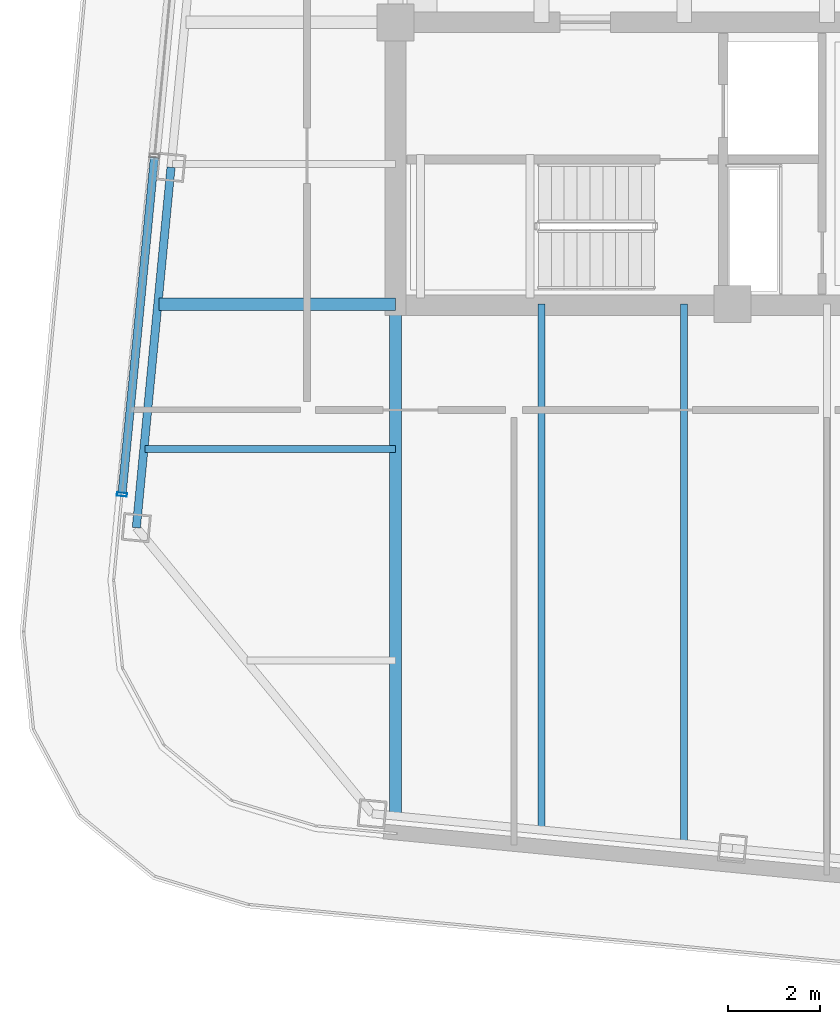
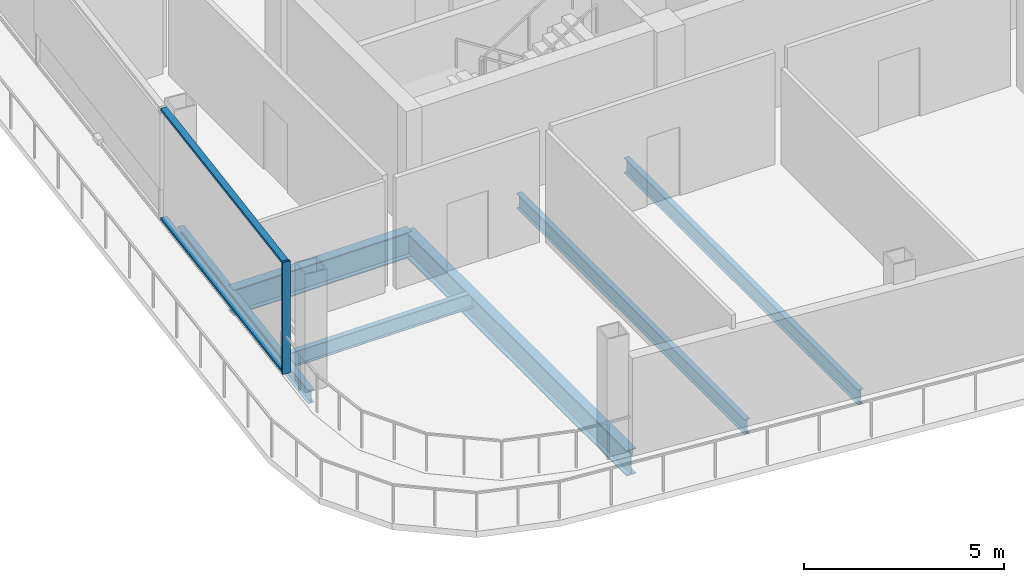
# One storey, part 2 of 23: 6 beams, 3 members, 1 element without a shape of its own.
"""IFC4 building model written with IfcOpenShell, lengths in metres."""

from ifc_helpers import new_model, si_unit, direction, frame, origin, origin_2d, place, context, subcontext, project, spatial, hollow_rectangle, i_section, extrude, material, layer, layer_set, material_profile, profile_set, type_object, element, aggregate, save


model = new_model("IFC4")

# Units and contexts
model_context = context("Model", 3, precision=1e-05, world=origin(), true_north=direction((0.0, 1.0)))
body_context = subcontext(model_context, "Body", "Model", "MODEL_VIEW")
ifc_project = project(units=[si_unit("LENGTHUNIT", "METRE"), si_unit("AREAUNIT", "SQUARE_METRE"), si_unit("VOLUMEUNIT", "CUBIC_METRE"), si_unit("PLANEANGLEUNIT", "RADIAN"), si_unit("MASSUNIT", "GRAM", prefix="KILO")], contexts=[model_context])

# Site, building, storey
site_placement = place(None, origin())
site = spatial("IfcSite", under=ifc_project, at=site_placement, CompositionType="ELEMENT")
building_placement = place(site_placement, origin())
building = spatial("IfcBuilding", under=site, at=building_placement, Name="Qhalaya Broadcast Tower", CompositionType="ELEMENT")
storey_placement = place(building_placement, frame((0.0, 0.0, 276.949951171875)))
storey = spatial("IfcBuildingStorey", under=building, at=storey_placement, Name="L82", CompositionType="ELEMENT", Elevation=276.949951171875)

# Beams
ifc_material_1 = material(Name="Structural Steel ASTM A992 Grade 50", Category="steel")
ifc_material_profile_1 = material_profile(ifc_material_1, i_section(OverallWidth=0.154052734375, OverallDepth=0.458984375, WebThickness=0.009033203125, FlangeThickness=0.015380859375, at=origin_2d()), Name="W18X46")
ifc_profile_set_1 = profile_set([ifc_material_profile_1], Name="Structural Steel ASTM A992 Grade 50")
beam_type_1 = type_object("IfcBeamType", Name="Composite Floor Joist J04", PredefinedType="JOIST", material=ifc_profile_set_1)
beam_1_placement = place(storey_placement, frame((-6.199951171875, -20.1630859375, -0.41943359375), z_axis=(0.0, 1.0, 0.0), x_axis=(-1.0, 0.0, 0.0)))
element("IfcBeam", 1, at=beam_1_placement, inside=storey, type_object=beam_type_1, Name="L82 J04 L82-JNS1-1", PredefinedType="JOIST", context=body_context, shape_type="SweptSolid", body=[
    extrude(i_section(OverallWidth=0.154052734375, OverallDepth=0.458984375, WebThickness=0.009033203125, FlangeThickness=0.015380859375, at=origin_2d()), origin(), (0.0, 0.0, 1.0), 11.4130859375),
])
beam_2_placement = place(storey_placement, frame((-3.10009765625, -20.46142578125, -0.41943359375), z_axis=(0.0, 1.0, 0.0), x_axis=(-1.0, 0.0, 0.0)))
element("IfcBeam", 2, at=beam_2_placement, inside=storey, type_object=beam_type_1, Name="L82 J04 L82-JNS2-1", PredefinedType="JOIST", context=body_context, shape_type="SweptSolid", body=[
    extrude(i_section(OverallWidth=0.154052734375, OverallDepth=0.458984375, WebThickness=0.009033203125, FlangeThickness=0.015380859375, at=origin_2d()), origin(), (0.0, 0.0, 1.0), 11.71142578125),
])
beam_3_placement = place(storey_placement, frame((-14.82568359375, -11.89990234375, -0.41943359375), z_axis=(1.0, 0.0, 0.0), x_axis=(0.0, 1.0, 0.0)))
element("IfcBeam", 3, at=beam_3_placement, inside=storey, type_object=beam_type_1, Name="L82 J04 L82-JWE2W-1", PredefinedType="JOIST", context=body_context, shape_type="SweptSolid", body=[
    extrude(i_section(OverallWidth=0.154052734375, OverallDepth=0.458984375, WebThickness=0.009033203125, FlangeThickness=0.015380859375, at=origin_2d()), origin(), (0.0, 0.0, 1.0), 5.45068359375),
])
ifc_material_profile_2 = material_profile(ifc_material_1, i_section(OverallWidth=0.26708984375, OverallDepth=0.780029296875, WebThickness=0.0166015625, FlangeThickness=0.030029296875, at=origin_2d()), Name="W30X148")
ifc_profile_set_2 = profile_set([ifc_material_profile_2], Name="Structural Steel ASTM A992 Grade 50")
beam_type_2 = type_object("IfcBeamType", Name="Neck & Crown Primary Girder PG5", PredefinedType="USERDEFINED", material=ifc_profile_set_2)
beam_4_placement = place(storey_placement, frame((-9.375, -19.857421875, -0.579833984375), z_axis=(0.0, 1.0, 0.0), x_axis=(-1.0, 0.0, 0.0)))
element("IfcBeam", 4, at=beam_4_placement, inside=storey, type_object=beam_type_2, Name="L82 PG5 L82-PGXS1-1", ObjectType="GIRDER", PredefinedType="USERDEFINED", context=body_context, shape_type="SweptSolid", body=[
    extrude(i_section(OverallWidth=0.26708984375, OverallDepth=0.780029296875, WebThickness=0.0166015625, FlangeThickness=0.030029296875, at=origin_2d()), origin(), (0.0, 0.0, 1.0), 11.107421875),
])
beam_5_placement = place(storey_placement, frame((-14.5224609375, -8.75, -0.579833984375), z_axis=(1.0, 0.0, 0.0), x_axis=(0.0, 1.0, 0.0)))
element("IfcBeam", 5, at=beam_5_placement, inside=storey, type_object=beam_type_2, Name="L82 PG5 L82-PGYW1-1", ObjectType="GIRDER", PredefinedType="USERDEFINED", context=body_context, shape_type="SweptSolid", body=[
    extrude(i_section(OverallWidth=0.26708984375, OverallDepth=0.780029296875, WebThickness=0.0166015625, FlangeThickness=0.030029296875, at=origin_2d()), origin(), (0.0, 0.0, 1.0), 5.1474609375),
])

# Curtain wall, members
ifc_material_2 = material(Name="Solar-Control Low-E Triple Glazing", Category="glass")
ifc_layer = layer(ifc_material_2, 0.219970703125, Name="Solar-Control Low-E Triple Glazing")
ifc_layer_set = layer_set([ifc_layer], Name="Solar-Control Low-E Triple Glazing")
curtain_wall_type = type_object("IfcCurtainWallType", Name="Crown Garden & Observation Windscreen Curtain Wall CW-06", PredefinedType="NOTDEFINED", material=ifc_layer_set)
curtain_wall_placement = place(storey_placement, origin())
curtain_wall = element("IfcCurtainWall", 6, at=curtain_wall_placement, inside=storey, type_object=curtain_wall_type, Name="L82 Unitised Curtain Wall L82-CW-W", PredefinedType="NOTDEFINED")
ifc_material_3 = material(Name="Anodised Aluminium 6063-T6", Category="aluminium")
ifc_material_profile_3 = material_profile(ifc_material_3, hollow_rectangle(XDim=0.074951171875, YDim=0.219970703125, WallThickness=0.00390625, at=origin_2d()), Name="ALU-MUL 75x220x4")
ifc_profile_set_3 = profile_set([ifc_material_profile_3], Name="Anodised Aluminium 6063-T6")
member_type_1 = type_object("IfcMemberType", Name="Unitised Curtain-Wall Mullion M01", PredefinedType="MULLION", material=ifc_profile_set_3)
member_1_placement = place(storey_placement, frame((-15.32275390625, -12.887451171875, 0.0), z_axis=(0.0, 0.0, 1.0), x_axis=(-0.095847667974, -0.995396013928, 0.0)))
member_1 = element("IfcMember", 7, at=member_1_placement, type_object=member_type_1, Name="CW-06 mullion 4", PredefinedType="MULLION", context=body_context, shape_type="SweptSolid", body=[
    extrude(hollow_rectangle(XDim=0.074951171875, YDim=0.219970703125, WallThickness=0.00390625, at=origin_2d()), origin(), (0.0, 0.0, 1.0), 3.41015625),
])
ifc_material_profile_4 = material_profile(ifc_material_3, hollow_rectangle(XDim=0.074951171875, YDim=0.179931640625, WallThickness=0.00390625, at=origin_2d()), Name="ALU-TRN 75x180x4")
ifc_profile_set_4 = profile_set([ifc_material_profile_4], Name="Anodised Aluminium 6063-T6")
member_type_2 = type_object("IfcMemberType", Name="Unitised Curtain-Wall Transom T01", PredefinedType="USERDEFINED", material=ifc_profile_set_4)
member_2_placement = place(storey_placement, frame((-14.617431640625, -5.563232421875, 0.03759765625), z_axis=(-0.095844579162, -0.995396311348, 0.0), x_axis=(0.0, 0.0, 1.0)))
member_2 = element("IfcMember", 8, at=member_2_placement, type_object=member_type_2, Name="CW-06 transom 3.1", ObjectType="TRANSOM", PredefinedType="USERDEFINED", context=body_context, shape_type="SweptSolid", body=[
    extrude(hollow_rectangle(XDim=0.074951171875, YDim=0.179931640625, WallThickness=0.00390625, at=origin_2d()), origin(), (0.0, 0.0, 1.0), 7.32080078125),
])
member_3_placement = place(storey_placement, frame((-14.617431640625, -5.563232421875, 3.37255859375), z_axis=(-0.095844579162, -0.995396311348, 0.0), x_axis=(0.0, 0.0, 1.0)))
member_3 = element("IfcMember", 9, at=member_3_placement, type_object=member_type_2, Name="CW-06 transom 3.2", ObjectType="TRANSOM", PredefinedType="USERDEFINED", context=body_context, shape_type="SweptSolid", body=[
    extrude(hollow_rectangle(XDim=0.074951171875, YDim=0.179931640625, WallThickness=0.00390625, at=origin_2d()), origin(), (0.0, 0.0, 1.0), 7.32080078125),
])
aggregate(curtain_wall, [member_1, member_2, member_3])

# Beam
ifc_material_profile_5 = material_profile(ifc_material_1, i_section(OverallWidth=0.177978515625, OverallDepth=0.406005859375, WebThickness=0.0078125, FlangeThickness=0.0126953125, at=origin_2d()), Name="W16X40")
ifc_profile_set_5 = profile_set([ifc_material_profile_5], Name="Structural Steel ASTM A992 Grade 50")
beam_type_3 = type_object("IfcBeamType", Name="Upper Perimeter Spandrel Beam SP2", PredefinedType="SPANDREL", material=ifc_profile_set_5)
beam_6_placement = place(storey_placement, frame((-14.25634765625, -5.77783203125, -0.39306640625), z_axis=(-0.095864972855, -0.995394347472, 0.0), x_axis=(0.995394347472, -0.095864972855, 0.0)))
element("IfcBeam", 10, at=beam_6_placement, inside=storey, type_object=beam_type_3, Name="L82 SP2 L82-SPR-15", PredefinedType="SPANDREL", context=body_context, shape_type="SweptSolid", body=[
    extrude(i_section(OverallWidth=0.177978515625, OverallDepth=0.406005859375, WebThickness=0.0078125, FlangeThickness=0.0126953125, at=origin_2d()), origin(), (0.0, 0.0, 1.0), 7.86669921875),
])

save(model, "model.ifc")
